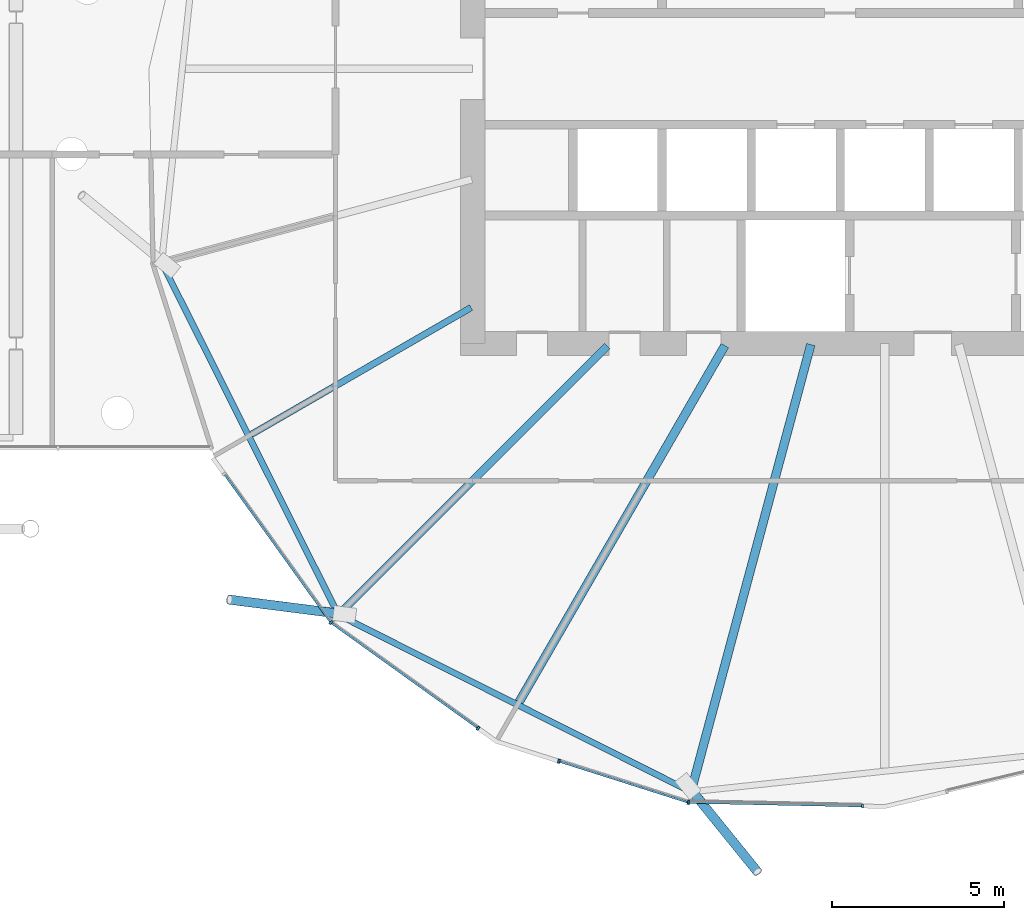
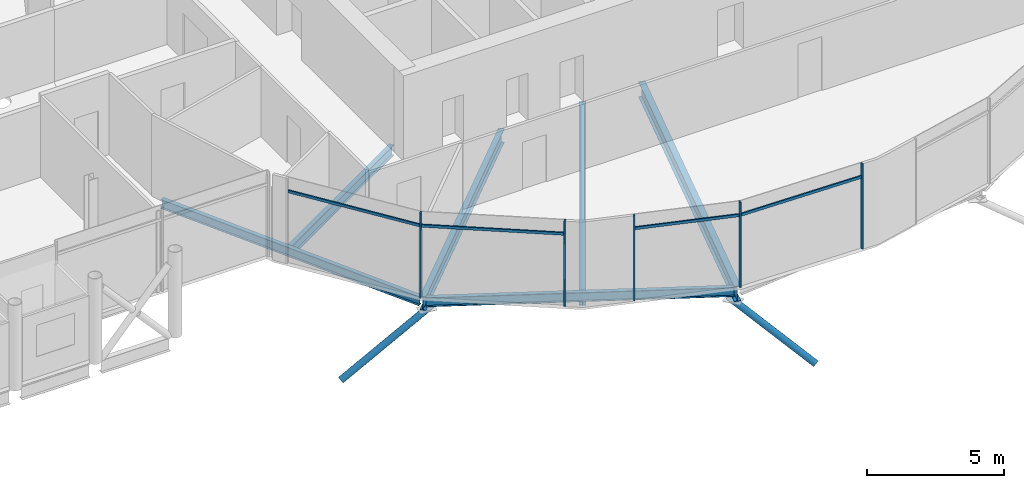
# One storey, part 12 of 39: 11 members, 6 beams, 1 element without a shape of its own.
"""IFC4 building model written with IfcOpenShell, lengths in metres."""

from ifc_helpers import new_model, si_unit, direction, frame, origin, origin_2d, place, context, subcontext, project, spatial, rectangle, hollow_circle, i_section, extrude, clip, halfspace, material, material_profile, profile_set, type_object, element, aggregate, save


model = new_model("IFC4")

# Units and contexts
model_context = context("Model", 3, precision=1e-05, world=origin(), true_north=direction((0.0, 1.0)))
body_context = subcontext(model_context, "Body", "Model", "MODEL_VIEW")
ifc_project = project(units=[si_unit("LENGTHUNIT", "METRE"), si_unit("AREAUNIT", "SQUARE_METRE"), si_unit("VOLUMEUNIT", "CUBIC_METRE"), si_unit("PLANEANGLEUNIT", "RADIAN"), si_unit("MASSUNIT", "GRAM", prefix="KILO")], contexts=[model_context])

# Site, building, storey
site_placement = place(None, origin())
site = spatial("IfcSite", under=ifc_project, at=site_placement, CompositionType="ELEMENT")
building_placement = place(site_placement, origin())
building = spatial("IfcBuilding", under=site, at=building_placement, Name="Rimbun Link Towers", CompositionType="ELEMENT")
storey_placement = place(building_placement, frame((0.0, 0.0, 139.199951171875)))
storey = spatial("IfcBuildingStorey", under=building, at=storey_placement, Name="L33", CompositionType="ELEMENT", Elevation=139.199951171875)

# Curtain wall, members
ifc_material_1 = material(Name="Aluminium 6063-T6 and low-iron glass", Category="aluminium")
curtain_wall_type = type_object("IfcCurtainWallType", Name="CW4 link block wall", PredefinedType="NOTDEFINED", material=ifc_material_1)
curtain_wall_placement = place(storey_placement, origin())
curtain_wall = element("IfcCurtainWall", 1, at=curtain_wall_placement, inside=storey, type_object=curtain_wall_type, Name="CW4 L33 T2", PredefinedType="NOTDEFINED")
ifc_material_2 = material(Name="Aluminium 6063-T6", Category="aluminium")
ifc_material_profile_1 = material_profile(ifc_material_2, rectangle(XDim=0.1201171875, YDim=0.06005859375, at=origin_2d()), Name="MULLION 60X120")
ifc_profile_set_1 = profile_set([ifc_material_profile_1], Name="Aluminium 6063-T6")
member_type_1 = type_object("IfcMemberType", Name="CW4 mullion 60X120", PredefinedType="MULLION", material=ifc_profile_set_1)
member_1_placement = place(storey_placement, frame((15.618408203125, -16.131591796875, 0.0), z_axis=(0.0, 0.0, 1.0), x_axis=(-0.707106781187, -0.707106781187, 0.0)))
member_1 = element("IfcMember", 2, at=member_1_placement, type_object=member_type_1, Name="CW4 mullion", PredefinedType="MULLION", context=body_context, shape_type="SweptSolid", body=[
    extrude(rectangle(XDim=0.1201171875, YDim=0.06005859375, at=origin_2d()), origin(), (0.0, 0.0, 1.0), 3.800048828125),
])
member_2_placement = place(storey_placement, frame((19.906005859375, -19.208984375, 0.0), z_axis=(0.0, 0.0, 1.0), x_axis=(-0.58300948996, -0.81246534364, 0.0)))
member_2 = element("IfcMember", 3, at=member_2_placement, type_object=member_type_1, Name="CW4 mullion", PredefinedType="MULLION", context=body_context, shape_type="SweptSolid", body=[
    extrude(rectangle(XDim=0.1201171875, YDim=0.06005859375, at=origin_2d()), origin(), (0.0, 0.0, 1.0), 3.800048828125),
])
member_3_placement = place(storey_placement, frame((26.030029296875, -21.3701171875, 0.0), z_axis=(0.0, 0.0, 1.0), x_axis=(-0.163742365799, -0.986503136154, 0.0)))
member_3 = element("IfcMember", 4, at=member_3_placement, type_object=member_type_1, Name="CW4 mullion", PredefinedType="MULLION", context=body_context, shape_type="SweptSolid", body=[
    extrude(rectangle(XDim=0.1201171875, YDim=0.06005859375, at=origin_2d()), origin(), (0.0, 0.0, 1.0), 3.800048828125),
])
member_4_placement = place(storey_placement, frame((22.261474609375, -20.17236328125, 0.0), z_axis=(0.0, 0.0, 1.0), x_axis=(-0.303059612182, -0.952971600555, 0.0)))
member_4 = element("IfcMember", 5, at=member_4_placement, type_object=member_type_1, Name="CW4 mullion", PredefinedType="MULLION", context=body_context, shape_type="SweptSolid", body=[
    extrude(rectangle(XDim=0.1201171875, YDim=0.06005859375, at=origin_2d()), origin(), (0.0, 0.0, 1.0), 3.800048828125),
])
member_5_placement = place(storey_placement, frame((31.098876953125, -21.4775390625, 0.0), z_axis=(0.0, 0.0, 1.0), x_axis=(-0.021062889527, -0.999778152734, 0.0)))
member_5 = element("IfcMember", 6, at=member_5_placement, type_object=member_type_1, Name="CW4 mullion", PredefinedType="MULLION", context=body_context, shape_type="SweptSolid", body=[
    extrude(rectangle(XDim=0.1201171875, YDim=0.06005859375, at=origin_2d()), origin(), (0.0, 0.0, 1.0), 3.800048828125),
])
ifc_material_3 = material(Name="Aluminium 6063-T6", Category="aluminium")
ifc_material_profile_2 = material_profile(ifc_material_3, rectangle(XDim=0.06005859375, YDim=0.1201171875, at=origin_2d()), Name="TRANSOM 60X120")
ifc_profile_set_2 = profile_set([ifc_material_profile_2], Name="Aluminium 6063-T6")
member_type_2 = type_object("IfcMemberType", Name="CW4 transom 60X120", PredefinedType="USERDEFINED", material=ifc_profile_set_2)
member_6_placement = place(storey_placement, frame((15.59619140625, -16.0986328125, 3.199951171875), z_axis=(-0.583002503332, 0.812470357065, 0.0), x_axis=(-0.812470357065, -0.583002503332, 0.0)))
member_6 = element("IfcMember", 7, at=member_6_placement, type_object=member_type_2, Name="CW4 transom", ObjectType="TRANSOM", PredefinedType="USERDEFINED", context=body_context, shape_type="SweptSolid", body=[
    extrude(rectangle(XDim=0.06005859375, YDim=0.1201171875, at=origin_2d()), origin(), (0.0, 0.0, 1.0), 5.258056640625),
])
member_7_placement = place(storey_placement, frame((19.8828125, -19.18994140625, 3.199951171875), z_axis=(-0.812489980296, 0.58297515549, 0.0), x_axis=(-0.58297515549, -0.812489980296, 0.0)))
member_7 = element("IfcMember", 8, at=member_7_placement, type_object=member_type_2, Name="CW4 transom", ObjectType="TRANSOM", PredefinedType="USERDEFINED", context=body_context, shape_type="SweptSolid", body=[
    extrude(rectangle(XDim=0.06005859375, YDim=0.1201171875, at=origin_2d()), origin(), (0.0, 0.0, 1.0), 5.2080078125),
])
member_8_placement = place(storey_placement, frame((25.99365234375, -21.357177734375, 3.199951171875), z_axis=(-0.952959606223, 0.303097325801, 0.0), x_axis=(-0.303097325801, -0.952959606223, 0.0)))
member_8 = element("IfcMember", 9, at=member_8_placement, type_object=member_type_2, Name="CW4 transom", ObjectType="TRANSOM", PredefinedType="USERDEFINED", context=body_context, shape_type="SweptSolid", body=[
    extrude(rectangle(XDim=0.06005859375, YDim=0.1201171875, at=origin_2d()), origin(), (0.0, 0.0, 1.0), 3.8857421875),
])
member_9_placement = place(storey_placement, frame((31.06884765625, -21.474853515625, 3.199951171875), z_axis=(-0.99977865077, 0.021039236291, 0.0), x_axis=(-0.021039236291, -0.99977865077, 0.0)))
member_9 = element("IfcMember", 10, at=member_9_placement, type_object=member_type_2, Name="CW4 transom", ObjectType="TRANSOM", PredefinedType="USERDEFINED", context=body_context, shape_type="SweptSolid", body=[
    extrude(rectangle(XDim=0.06005859375, YDim=0.1201171875, at=origin_2d()), origin(), (0.0, 0.0, 1.0), 5.00146484375),
])
aggregate(curtain_wall, [member_1, member_2, member_3, member_4, member_5, member_6, member_7, member_8, member_9])

# Members
ifc_material_4 = material(Name="Steel S355J2H", Category="steel")
ifc_material_profile_3 = material_profile(ifc_material_4, hollow_circle(Radius=0.136474609375, WallThickness=0.012451171875, at=origin_2d()), Name="CHS 273x12.5")
ifc_profile_set_3 = profile_set([ifc_material_profile_3], Name="Steel S355J2H")
member_type_3 = type_object("IfcMemberType", Name="Floor edge link CHS 273x12.5", PredefinedType="BRACE", material=ifc_profile_set_3)
member_10_placement = place(storey_placement, frame((15.87548828125, -15.87451171875, -0.89697265625), z_axis=(-0.827834358856, 0.105682316439, -0.550927873945), x_axis=(-0.126633460125, -0.991949578747, 0.0)))
element("IfcMember", 11, at=member_10_placement, inside=storey, type_object=member_type_3, Name="Floor edge link T2 L33 12", PredefinedType="BRACE", context=body_context, shape_type="Clipping", body=[
    clip(extrude(hollow_circle(Radius=0.136474609375, WallThickness=0.012451171875, at=origin_2d()), frame((0.0, 0.0, -0.431640625)), (0.0, 0.0, 1.0), 4.32421875), halfspace(frame((0.0, 0.0, -0.2041015625), z_axis=(0.0, 0.834552860945, -0.550927873945)), False)),
])
member_11_placement = place(storey_placement, frame((26.119384765625, -21.013916015625, -0.9794921875), z_axis=(0.533707226191, -0.659420427351, -0.529453772017), x_axis=(0.777307880782, 0.629120384723, 0.0)))
element("IfcMember", 12, at=member_11_placement, inside=storey, type_object=member_type_3, Name="Floor edge link T2 L33 14", PredefinedType="BRACE", context=body_context, shape_type="Clipping", body=[
    clip(extrude(hollow_circle(Radius=0.136474609375, WallThickness=0.012451171875, at=origin_2d()), frame((0.0, 0.0, -0.456298828125)), (0.0, 0.0, 1.0), 4.072265625), halfspace(frame((0.0, 0.0, -0.21533203125), z_axis=(0.0, 0.8483387904, -0.529453772017)), False)),
])

# Beams
ifc_material_5 = material(Name="Steel S355J2", Category="steel")
ifc_material_profile_4 = material_profile(ifc_material_5, i_section(OverallWidth=0.177978515625, OverallDepth=0.406494140625, WebThickness=0.0078125, FlangeThickness=0.0126953125, at=origin_2d()), Name="UB 406x178x60")
ifc_profile_set_4 = profile_set([ifc_material_profile_4], Name="Steel S355J2")
beam_type_1 = type_object("IfcBeamType", Name="UB 406x178x60", PredefinedType="BEAM", material=ifc_profile_set_4)
beam_1_placement = place(storey_placement, frame((10.736083984375, -5.739990234375, -0.383056640625), z_axis=(0.448548941568, -0.893758271021, 0.0), x_axis=(0.893758271021, 0.448548941568, 0.0)))
element("IfcBeam", 13, at=beam_1_placement, inside=storey, type_object=beam_type_1, Name="Edge beam T2 L33 10-12", PredefinedType="BEAM", context=body_context, shape_type="SweptSolid", body=[
    extrude(i_section(OverallWidth=0.177978515625, OverallDepth=0.406494140625, WebThickness=0.0078125, FlangeThickness=0.0126953125, at=origin_2d()), origin(), (0.0, 0.0, 1.0), 11.258056640625),
])
beam_2_placement = place(storey_placement, frame((15.947998046875, -15.964111328125, -0.383056640625), z_axis=(0.893761275796, -0.44854295434, 0.0), x_axis=(0.44854295434, 0.893761275796, 0.0)))
element("IfcBeam", 14, at=beam_2_placement, inside=storey, type_object=beam_type_1, Name="Edge beam T2 L33 12-14", PredefinedType="BEAM", context=body_context, shape_type="SweptSolid", body=[
    extrude(i_section(OverallWidth=0.177978515625, OverallDepth=0.406494140625, WebThickness=0.0078125, FlangeThickness=0.0126953125, at=origin_2d()), origin(), (0.0, 0.0, 1.0), 11.2353515625),
])
ifc_material_6 = material(Name="Steel S355J2", Category="steel")
ifc_material_profile_5 = material_profile(ifc_material_6, i_section(OverallWidth=0.18994140625, OverallDepth=0.453369140625, WebThickness=0.008544921875, FlangeThickness=0.0126953125, at=origin_2d()), Name="UB 457x191x67")
ifc_profile_set_5 = profile_set([ifc_material_profile_5], Name="Steel S355J2")
beam_type_2 = type_object("IfcBeamType", Name="UB 457x191x67", PredefinedType="BEAM", material=ifc_profile_set_5)
beam_3_placement = place(storey_placement, frame((19.70166015625, -6.9560546875, -0.40673828125), z_axis=(-0.866028798401, -0.499994120305, 0.0), x_axis=(0.499994120305, -0.866028798401, 0.0)))
element("IfcBeam", 15, at=beam_3_placement, inside=storey, type_object=beam_type_2, Name="Radial beam T2 L33 11", PredefinedType="BEAM", context=body_context, shape_type="SweptSolid", body=[
    extrude(i_section(OverallWidth=0.18994140625, OverallDepth=0.453369140625, WebThickness=0.008544921875, FlangeThickness=0.0126953125, at=origin_2d()), origin(), (0.0, 0.0, 1.0), 7.39013671875),
])
ifc_material_7 = material(Name="Steel S355J2", Category="steel")
ifc_material_profile_6 = material_profile(ifc_material_7, i_section(OverallWidth=0.2275390625, OverallDepth=0.6025390625, WebThickness=0.010498046875, FlangeThickness=0.014892578125, at=origin_2d()), Name="UB 610x229x101")
ifc_profile_set_6 = profile_set([ifc_material_profile_6], Name="Steel S355J2")
beam_type_3 = type_object("IfcBeamType", Name="UB 610x229x101", PredefinedType="BEAM", material=ifc_profile_set_6)
beam_4_placement = place(storey_placement, frame((23.668701171875, -8.081298828125, -0.481201171875), z_axis=(-0.707106781187, -0.707106781187, 0.0), x_axis=(0.707106781187, -0.707106781187, 0.0)))
element("IfcBeam", 16, at=beam_4_placement, inside=storey, type_object=beam_type_3, Name="Radial beam T2 L33 12", PredefinedType="BEAM", context=body_context, shape_type="SweptSolid", body=[
    extrude(i_section(OverallWidth=0.2275390625, OverallDepth=0.6025390625, WebThickness=0.010498046875, FlangeThickness=0.014892578125, at=origin_2d()), origin(), (0.0, 0.0, 1.0), 11.0712890625),
])
ifc_material_8 = material(Name="Steel S355J2", Category="steel")
ifc_material_profile_7 = material_profile(ifc_material_8, i_section(OverallWidth=0.253662109375, OverallDepth=0.68359375, WebThickness=0.012451171875, FlangeThickness=0.01904296875, at=origin_2d()), Name="UB 686x254x140")
ifc_profile_set_7 = profile_set([ifc_material_profile_7], Name="Steel S355J2")
beam_type_4 = type_object("IfcBeamType", Name="UB 686x254x140", PredefinedType="BEAM", material=ifc_profile_set_7)
beam_5_placement = place(storey_placement, frame((27.093994140625, -8.064208984375, -0.521728515625), z_axis=(-0.499984479505, -0.866034364361, 0.0), x_axis=(0.866034364361, -0.499984479505, 0.0)))
element("IfcBeam", 17, at=beam_5_placement, inside=storey, type_object=beam_type_4, Name="Radial beam T2 L33 13", PredefinedType="BEAM", context=body_context, shape_type="SweptSolid", body=[
    extrude(i_section(OverallWidth=0.253662109375, OverallDepth=0.68359375, WebThickness=0.012451171875, FlangeThickness=0.01904296875, at=origin_2d()), origin(), (0.0, 0.0, 1.0), 11.99072265625),
])
beam_6_placement = place(storey_placement, frame((29.597412109375, -8.03369140625, -0.521728515625), z_axis=(-0.258817210165, -0.965926317957, 0.0), x_axis=(0.965926317957, -0.258817210165, 0.0)))
element("IfcBeam", 18, at=beam_6_placement, inside=storey, type_object=beam_type_4, Name="Radial beam T2 L33 14", PredefinedType="BEAM", context=body_context, shape_type="SweptSolid", body=[
    extrude(i_section(OverallWidth=0.253662109375, OverallDepth=0.68359375, WebThickness=0.012451171875, FlangeThickness=0.01904296875, at=origin_2d()), origin(), (0.0, 0.0, 1.0), 13.488037109375),
])

save(model, "model.ifc")
